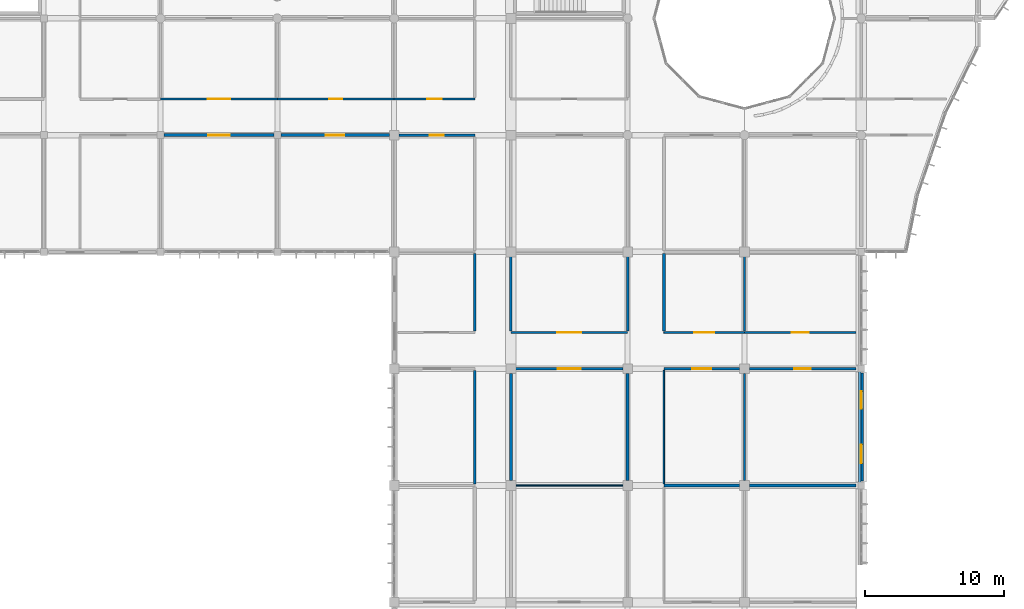
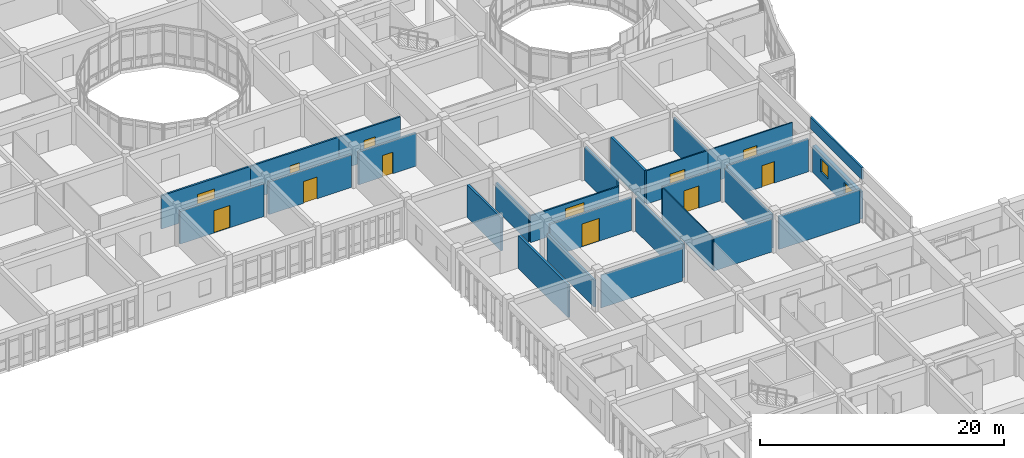
# One storey, part 81 of 119: 27 walls, 12 doors, 2 windows, 14 openings.
"""IFC4 building model written with IfcOpenShell, lengths in metres."""

from ifc_helpers import new_model, si_unit, direction, frame, frame_2d, origin, place, context, subcontext, project, spatial, rectangle, extrude, material, layer, layer_set, type_object, element, fill, save


model = new_model("IFC4")

# Units and contexts
model_context = context("Model", 3, precision=1e-05, world=origin(), true_north=direction((0.0, 1.0)))
body_context = subcontext(model_context, "Body", "Model", "MODEL_VIEW")
ifc_project = project(units=[si_unit("LENGTHUNIT", "METRE"), si_unit("AREAUNIT", "SQUARE_METRE"), si_unit("VOLUMEUNIT", "CUBIC_METRE"), si_unit("PLANEANGLEUNIT", "RADIAN"), si_unit("MASSUNIT", "GRAM", prefix="KILO")], contexts=[model_context])

# Site, building, storey
site_placement = place(None, origin())
site = spatial("IfcSite", under=ifc_project, at=site_placement, CompositionType="ELEMENT")
building_placement = place(site_placement, origin())
building = spatial("IfcBuilding", under=site, at=building_placement, Name="Bramfleet General Hospital", CompositionType="ELEMENT")
storey_placement = place(building_placement, frame((0.0, 0.0, 14.39990234375)))
storey = spatial("IfcBuildingStorey", under=building, at=storey_placement, Name="L03", CompositionType="ELEMENT", Elevation=14.39990234375)

# Wall, openings, windows
ifc_material_1 = material(Name="Precast concrete C40/50", Category="concrete")
ifc_layer_1 = layer(ifc_material_1, 0.31494140625, Name="WT-EW-04")
ifc_layer_set_1 = layer_set([ifc_layer_1], Name="Precast concrete C40/50")
wall_type_1 = type_object("IfcWallType", Name="WT-EW-04", PredefinedType="SOLIDWALL", material=ifc_layer_set_1)
wall_1_placement = place(storey_placement, frame((126.0, 41.675048828125, 0.0), z_axis=(0.0, 0.0, 1.0), x_axis=(0.0, -1.0, 0.0)))
wall_1 = element("IfcWall", 1, at=wall_1_placement, inside=storey, type_object=wall_type_1, Name="L03 Exterior Wall 261", PredefinedType="SOLIDWALL", context=body_context, shape_type="SweptSolid", body=[
    extrude(rectangle(XDim=7.75, YDim=0.31494140625, at=frame_2d((3.875, 0.0))), origin(), (0.0, 0.0, 1.0), 2.690185546875),
])
opening_1_placement = place(wall_1_placement, frame((1.3125, 0.0, 0.85009765625)))
opening_1 = element("IfcOpeningElement", 2, at=opening_1_placement, cuts=wall_1, Name="Opening W-04", PredefinedType="OPENING", context=body_context, shape_type="SweptSolid", body=[
    extrude(rectangle(XDim=1.25, YDim=1.300048828125, at=frame_2d((0.625, 0.64990234375))), frame((0.0, 0.16748046875, 0.0), z_axis=(0.0, -1.0, 0.0), x_axis=(1.0, 0.0, 0.0)), (0.0, 0.0, 1.0), 0.3349609375),
])
opening_2_placement = place(wall_1_placement, frame((5.137451171875, 0.0, 0.85009765625)))
opening_2 = element("IfcOpeningElement", 3, at=opening_2_placement, cuts=wall_1, Name="Opening W-05", PredefinedType="OPENING", context=body_context, shape_type="SweptSolid", body=[
    extrude(rectangle(XDim=1.35009765625, YDim=1.300048828125, at=frame_2d((0.675048828125, 0.64990234375))), frame((0.0, 0.16748046875, 0.0), z_axis=(0.0, -1.0, 0.0), x_axis=(1.0, 0.0, 0.0)), (0.0, 0.0, 1.0), 0.3349609375),
])
ifc_material_2 = material(Name="Anodised aluminium and low-E triple glazing", Category="aluminium")
window_type_1 = type_object("IfcWindowType", Name="WIN-W-04", PartitioningType="SINGLE_PANEL", PredefinedType="WINDOW", material=ifc_material_2)
window_1_placement = place(opening_1_placement, origin())
window_1 = element("IfcWindow", 4, at=window_1_placement, inside=storey, type_object=window_type_1, Name="L03 Facade Window WIN-L03-261-1", OverallHeight=1.300048828125, OverallWidth=1.25, PartitioningType="SINGLE_PANEL", PredefinedType="WINDOW", context=body_context, shape_type="SweptSolid", body=[
    extrude(rectangle(XDim=1.25, YDim=1.300048828125, at=frame_2d((0.625, 0.64990234375))), frame((0.0, 0.030029296875, 0.0), z_axis=(0.0, -1.0, 0.0), x_axis=(1.0, 0.0, 0.0)), (0.0, 0.0, 1.0), 0.06005859375),
])
fill(opening_1, window_1)
window_type_2 = type_object("IfcWindowType", Name="WIN-W-05", PartitioningType="SINGLE_PANEL", PredefinedType="WINDOW", material=ifc_material_2)
window_2_placement = place(opening_2_placement, origin())
window_2 = element("IfcWindow", 5, at=window_2_placement, inside=storey, type_object=window_type_2, Name="L03 Facade Window WIN-L03-261-2", OverallHeight=1.300048828125, OverallWidth=1.35009765625, PartitioningType="SINGLE_PANEL", PredefinedType="WINDOW", context=body_context, shape_type="SweptSolid", body=[
    extrude(rectangle(XDim=1.35009765625, YDim=1.300048828125, at=frame_2d((0.675048828125, 0.64990234375))), frame((0.0, 0.030029296875, 0.0), z_axis=(0.0, -1.0, 0.0), x_axis=(1.0, 0.0, 0.0)), (0.0, 0.0, 1.0), 0.06005859375),
])
fill(opening_2, window_2)

# Wall
ifc_material_3 = material(Name="Concrete C35/45", Category="concrete")
ifc_layer_2 = layer(ifc_material_3, 0.219970703125, Name="WT-IW-01")
ifc_layer_set_2 = layer_set([ifc_layer_2], Name="Concrete C35/45")
wall_type_2 = type_object("IfcWallType", Name="WT-IW-01", PredefinedType="PARTITIONING", material=ifc_layer_set_2)
wall_2_placement = place(storey_placement, frame((111.800048828125, 33.60009765625, 0.0), z_axis=(0.0, 0.0, 1.0), x_axis=(1.0, 0.0, 0.0)))
element("IfcWall", 6, at=wall_2_placement, inside=storey, type_object=wall_type_2, Name="L03 Interior Partition IW-L03-2521", PredefinedType="PARTITIONING", context=body_context, shape_type="SweptSolid", body=[
    extrude(rectangle(XDim=5.454833984375, YDim=0.219970703125, at=frame_2d((2.7275390625, 0.0))), origin(), (0.0, 0.0, 1.0), 3.2900390625),
])

# Wall, opening, door
wall_3_placement = place(storey_placement, frame((75.844970703125, 58.800048828125, 0.0), z_axis=(0.0, 0.0, 1.0), x_axis=(1.0, 0.0, 0.0)))
wall_3 = element("IfcWall", 7, at=wall_3_placement, inside=storey, type_object=wall_type_2, Name="L03 Interior Partition IW-L03-2545", PredefinedType="PARTITIONING", context=body_context, shape_type="SweptSolid", body=[
    extrude(rectangle(XDim=7.909912109375, YDim=0.219970703125, at=frame_2d((3.955078125, 0.0))), origin(), (0.0, 0.0, 1.0), 3.280029296875),
])
opening_3_placement = place(wall_3_placement, frame((3.18505859375, 0.0, 0.0)))
opening_3 = element("IfcOpeningElement", 8, at=opening_3_placement, cuts=wall_3, Name="Opening D1105", PredefinedType="OPENING", context=body_context, shape_type="SweptSolid", body=[
    extrude(rectangle(XDim=1.5400390625, YDim=2.239990234375, at=frame_2d((0.77001953125, 1.1201171875))), frame((0.0, 0.119873046875, 0.0), z_axis=(0.0, -1.0, 0.0), x_axis=(1.0, 0.0, 0.0)), (0.0, 0.0, 1.0), 0.239990234375),
])
ifc_material_4 = material(Name="Stainless steel and acoustic timber leaf", Category="steel")
door_type_1 = type_object("IfcDoorType", Name="DR-D-17", OperationType="NOTDEFINED", PredefinedType="DOOR", material=ifc_material_4)
door_1_placement = place(opening_3_placement, origin())
door_1 = element("IfcDoor", 9, at=door_1_placement, inside=storey, type_object=door_type_1, Name="Maternity Delivery Suite and Clinical Lab L03-0906 Door D1105", OperationType="SINGLE_SWING_RIGHT", OverallHeight=2.239990234375, OverallWidth=1.5400390625, PredefinedType="DOOR", context=body_context, shape_type="SweptSolid", body=[
    extrude(rectangle(XDim=1.5400390625, YDim=2.239990234375, at=frame_2d((0.77001953125, 1.1201171875))), frame((0.0, 0.02490234375, 0.0), z_axis=(0.0, -1.0, 0.0), x_axis=(1.0, 0.0, 0.0)), (0.0, 0.0, 1.0), 0.050048828125),
])
fill(opening_3, door_1)

# Walls
wall_4_placement = place(storey_placement, frame((109.199951171875, 33.945068359375, 0.0), z_axis=(0.0, 0.0, 1.0), x_axis=(0.0, 1.0, 0.0)))
element("IfcWall", 10, at=wall_4_placement, inside=storey, type_object=wall_type_2, Name="L03 Interior Partition IW-L03-2953", PredefinedType="PARTITIONING", context=body_context, shape_type="SweptSolid", body=[
    extrude(rectangle(XDim=7.7099609375, YDim=0.219970703125, at=frame_2d((3.85498046875, 0.0))), origin(), (0.0, 0.0, 1.0), 3.340087890625),
])
wall_5_placement = place(storey_placement, frame((111.800048828125, 44.715087890625, 0.0), z_axis=(0.0, 0.0, 1.0), x_axis=(0.0, 1.0, 0.0)))
element("IfcWall", 11, at=wall_5_placement, inside=storey, type_object=wall_type_2, Name="L03 Interior Partition IW-L03-2965", PredefinedType="PARTITIONING", context=body_context, shape_type="SweptSolid", body=[
    extrude(rectangle(XDim=5.56982421875, YDim=0.219970703125, at=frame_2d((2.784912109375, 0.0))), origin(), (0.0, 0.0, 1.0), 3.2900390625),
])
ifc_layer_3 = layer(ifc_material_3, 0.205078125, Name="WT-IW-02")
ifc_layer_set_3 = layer_set([ifc_layer_3], Name="Concrete C35/45")
wall_type_3 = type_object("IfcWallType", Name="WT-IW-02", PredefinedType="PARTITIONING", material=ifc_layer_set_3)
wall_6_placement = place(storey_placement, frame((117.945068359375, 33.60009765625, 0.0), z_axis=(0.0, 0.0, 1.0), x_axis=(1.0, 0.0, 0.0)))
element("IfcWall", 12, at=wall_6_placement, inside=storey, type_object=wall_type_3, Name="L03 Interior Partition IW-L03-2522", PredefinedType="PARTITIONING", context=body_context, shape_type="SweptSolid", body=[
    extrude(rectangle(XDim=7.6650390625, YDim=0.205078125, at=frame_2d((3.83251953125, 0.0))), origin(), (0.0, 0.0, 1.0), 3.2900390625),
])

# Wall, opening, door
wall_7_placement = place(storey_placement, frame((84.2451171875, 58.800048828125, 0.0), z_axis=(0.0, 0.0, 1.0), x_axis=(1.0, 0.0, 0.0)))
wall_7 = element("IfcWall", 13, at=wall_7_placement, inside=storey, type_object=wall_type_3, Name="L03 Interior Partition IW-L03-2546", PredefinedType="PARTITIONING", context=body_context, shape_type="SweptSolid", body=[
    extrude(rectangle(XDim=7.809814453125, YDim=0.205078125, at=frame_2d((3.90478515625, 0.0))), origin(), (0.0, 0.0, 1.0), 3.280029296875),
])
opening_4_placement = place(wall_7_placement, frame((3.2451171875, 0.0, 0.0)))
opening_4 = element("IfcOpeningElement", 14, at=opening_4_placement, cuts=wall_7, Name="Opening D1112", PredefinedType="OPENING", context=body_context, shape_type="SweptSolid", body=[
    extrude(rectangle(XDim=1.320068359375, YDim=2.179931640625, at=frame_2d((0.66015625, 1.08984375))), frame((0.0, 0.112548828125, 0.0), z_axis=(0.0, -1.0, 0.0), x_axis=(1.0, 0.0, 0.0)), (0.0, 0.0, 1.0), 0.22509765625),
])
door_type_2 = type_object("IfcDoorType", Name="DR-D-24", OperationType="NOTDEFINED", PredefinedType="DOOR", material=ifc_material_4)
door_2_placement = place(opening_4_placement, origin())
door_2 = element("IfcDoor", 15, at=door_2_placement, inside=storey, type_object=door_type_2, Name="Maternity Delivery Suite and Clinical Lab L03-1006 Door D1112", OperationType="SINGLE_SWING_LEFT", OverallHeight=2.179931640625, OverallWidth=1.320068359375, PredefinedType="DOOR", context=body_context, shape_type="SweptSolid", body=[
    extrude(rectangle(XDim=1.320068359375, YDim=2.179931640625, at=frame_2d((0.66015625, 1.08984375))), frame((0.0, 0.02490234375, 0.0), z_axis=(0.0, -1.0, 0.0), x_axis=(1.0, 0.0, 0.0)), (0.0, 0.0, 1.0), 0.050048828125),
])
fill(opening_4, door_2)

# Walls
wall_8_placement = place(storey_placement, frame((98.199951171875, 33.715087890625, 0.0), z_axis=(0.0, 0.0, 1.0), x_axis=(0.0, 1.0, 0.0)))
element("IfcWall", 16, at=wall_8_placement, inside=storey, type_object=wall_type_3, Name="L03 Interior Partition IW-L03-2930", PredefinedType="PARTITIONING", context=body_context, shape_type="SweptSolid", body=[
    extrude(rectangle(XDim=8.169921875, YDim=0.205078125, at=frame_2d((4.0849609375, 0.0))), origin(), (0.0, 0.0, 1.0), 3.2900390625),
])
wall_9_placement = place(storey_placement, frame((100.800048828125, 33.945068359375, 0.0), z_axis=(0.0, 0.0, 1.0), x_axis=(0.0, 1.0, 0.0)))
element("IfcWall", 17, at=wall_9_placement, inside=storey, type_object=wall_type_3, Name="L03 Interior Partition IW-L03-2942", PredefinedType="PARTITIONING", context=body_context, shape_type="SweptSolid", body=[
    extrude(rectangle(XDim=7.7099609375, YDim=0.205078125, at=frame_2d((3.85498046875, 0.0))), origin(), (0.0, 0.0, 1.0), 2.690185546875),
])
wall_10_placement = place(storey_placement, frame((109.199951171875, 44.715087890625, 0.0), z_axis=(0.0, 0.0, 1.0), x_axis=(0.0, 1.0, 0.0)))
element("IfcWall", 18, at=wall_10_placement, inside=storey, type_object=wall_type_3, Name="L03 Interior Partition IW-L03-2954", PredefinedType="PARTITIONING", context=body_context, shape_type="SweptSolid", body=[
    extrude(rectangle(XDim=5.33984375, YDim=0.205078125, at=frame_2d((2.669921875, 0.0))), origin(), (0.0, 0.0, 1.0), 3.340087890625),
])

# Wall, opening, door
ifc_layer_4 = layer(ifc_material_3, 0.18994140625, Name="WT-IW-03")
ifc_layer_set_4 = layer_set([ifc_layer_4], Name="Concrete C35/45")
wall_type_4 = type_object("IfcWallType", Name="WT-IW-03", PredefinedType="PARTITIONING", material=ifc_layer_set_4)
wall_11_placement = place(storey_placement, frame((92.7451171875, 58.800048828125, 0.0), z_axis=(0.0, 0.0, 1.0), x_axis=(1.0, 0.0, 0.0)))
wall_11 = element("IfcWall", 19, at=wall_11_placement, inside=storey, type_object=wall_type_4, Name="L03 Interior Partition IW-L03-2547", PredefinedType="PARTITIONING", context=body_context, shape_type="SweptSolid", body=[
    extrude(rectangle(XDim=5.454833984375, YDim=0.18994140625, at=frame_2d((2.7275390625, 0.0))), origin(), (0.0, 0.0, 1.0), 3.2900390625),
])
opening_5_placement = place(wall_11_placement, frame((2.2275390625, 0.0, 0.0)))
opening_5 = element("IfcOpeningElement", 20, at=opening_5_placement, cuts=wall_11, Name="Opening D1128", PredefinedType="OPENING", context=body_context, shape_type="SweptSolid", body=[
    extrude(rectangle(XDim=1.0, YDim=2.14990234375, at=frame_2d((0.5, 1.074951171875))), frame((0.0, 0.10498046875, 0.0), z_axis=(0.0, -1.0, 0.0), x_axis=(1.0, 0.0, 0.0)), (0.0, 0.0, 1.0), 0.2099609375),
])
door_type_3 = type_object("IfcDoorType", Name="DR-D-08", OperationType="NOTDEFINED", PredefinedType="DOOR", material=ifc_material_4)
door_3_placement = place(opening_5_placement, origin())
door_3 = element("IfcDoor", 21, at=door_3_placement, inside=storey, type_object=door_type_3, Name="Maternity Delivery Suite and Clinical Lab L03-1106 Door D1128", OperationType="SINGLE_SWING_LEFT", OverallHeight=2.14990234375, OverallWidth=1.0, PredefinedType="DOOR", context=body_context, shape_type="SweptSolid", body=[
    extrude(rectangle(XDim=1.0, YDim=2.14990234375, at=frame_2d((0.5, 1.074951171875))), frame((0.0, 0.02490234375, 0.0), z_axis=(0.0, -1.0, 0.0), x_axis=(1.0, 0.0, 0.0)), (0.0, 0.0, 1.0), 0.050048828125),
])
fill(opening_5, door_3)

# Walls
wall_12_placement = place(storey_placement, frame((98.199951171875, 44.715087890625, 0.0), z_axis=(0.0, 0.0, 1.0), x_axis=(0.0, 1.0, 0.0)))
element("IfcWall", 22, at=wall_12_placement, inside=storey, type_object=wall_type_4, Name="L03 Interior Partition IW-L03-2931", PredefinedType="PARTITIONING", context=body_context, shape_type="SweptSolid", body=[
    extrude(rectangle(XDim=5.56982421875, YDim=0.18994140625, at=frame_2d((2.784912109375, 0.0))), origin(), (0.0, 0.0, 1.0), 3.2900390625),
])
wall_13_placement = place(storey_placement, frame((100.800048828125, 44.715087890625, 0.0), z_axis=(0.0, 0.0, 1.0), x_axis=(0.0, 1.0, 0.0)))
element("IfcWall", 23, at=wall_13_placement, inside=storey, type_object=wall_type_4, Name="L03 Interior Partition IW-L03-2943", PredefinedType="PARTITIONING", context=body_context, shape_type="SweptSolid", body=[
    extrude(rectangle(XDim=5.33984375, YDim=0.18994140625, at=frame_2d((2.669921875, 0.0))), origin(), (0.0, 0.0, 1.0), 2.690185546875),
])

# Wall, opening, door
ifc_layer_5 = layer(ifc_material_3, 0.179931640625, Name="WT-IW-04")
ifc_layer_set_5 = layer_set([ifc_layer_5], Name="Concrete C35/45")
wall_type_5 = type_object("IfcWallType", Name="WT-IW-04", PredefinedType="PARTITIONING", material=ifc_layer_set_5)
wall_14_placement = place(storey_placement, frame((101.14501953125, 42.0, 0.0), z_axis=(0.0, 0.0, 1.0), x_axis=(1.0, 0.0, 0.0)))
wall_14 = element("IfcWall", 24, at=wall_14_placement, inside=storey, type_object=wall_type_5, Name="L03 Interior Partition IW-L03-2524", PredefinedType="PARTITIONING", context=body_context, shape_type="SweptSolid", body=[
    extrude(rectangle(XDim=7.7099609375, YDim=0.179931640625, at=frame_2d((3.85498046875, 0.0))), origin(), (0.0, 0.0, 1.0), 3.2900390625),
])
opening_6_placement = place(wall_14_placement, frame((3.034912109375, 0.0, 0.0)))
opening_6 = element("IfcOpeningElement", 25, at=opening_6_placement, cuts=wall_14, Name="Opening D1138", PredefinedType="OPENING", context=body_context, shape_type="SweptSolid", body=[
    extrude(rectangle(XDim=1.639892578125, YDim=2.280029296875, at=frame_2d((0.81982421875, 1.14013671875))), frame((0.0, 0.099853515625, 0.0), z_axis=(0.0, -1.0, 0.0), x_axis=(1.0, 0.0, 0.0)), (0.0, 0.0, 1.0), 0.199951171875),
])
door_type_4 = type_object("IfcDoorType", Name="DR-D-18", OperationType="NOTDEFINED", PredefinedType="DOOR", material=ifc_material_4)
door_4_placement = place(opening_6_placement, origin())
door_4 = element("IfcDoor", 26, at=door_4_placement, inside=storey, type_object=door_type_4, Name="Maternity Delivery Suite and Clinical Lab L03-1204 Door D1138", OperationType="DOUBLE_SWING_LEFT", OverallHeight=2.280029296875, OverallWidth=1.639892578125, PredefinedType="DOOR", context=body_context, shape_type="SweptSolid", body=[
    extrude(rectangle(XDim=1.639892578125, YDim=2.280029296875, at=frame_2d((0.81982421875, 1.14013671875))), frame((0.0, 0.02490234375, 0.0), z_axis=(0.0, -1.0, 0.0), x_axis=(1.0, 0.0, 0.0)), (0.0, 0.0, 1.0), 0.050048828125),
])
fill(opening_6, door_4)

ifc_material_5 = material(Name="Gypsum plasterboard on acoustic steel studs", Category="steel")
ifc_layer_6 = layer(ifc_material_5, 0.169921875, Name="WT-IW-05")
ifc_layer_set_6 = layer_set([ifc_layer_6], Name="Gypsum plasterboard on acoustic steel studs")
wall_type_6 = type_object("IfcWallType", Name="WT-IW-05", PredefinedType="PARTITIONING", material=ifc_layer_set_6)
wall_15_placement = place(storey_placement, frame((111.800048828125, 42.0, 0.0), z_axis=(0.0, 0.0, 1.0), x_axis=(1.0, 0.0, 0.0)))
wall_15 = element("IfcWall", 27, at=wall_15_placement, inside=storey, type_object=wall_type_6, Name="L03 Interior Partition IW-L03-2525", PredefinedType="PARTITIONING", context=body_context, shape_type="SweptSolid", body=[
    extrude(rectangle(XDim=5.454833984375, YDim=0.169921875, at=frame_2d((2.7275390625, 0.0))), origin(), (0.0, 0.0, 1.0), 3.2900390625),
])
opening_7_placement = place(wall_15_placement, frame((2.03759765625, 0.0, 0.0)))
opening_7 = element("IfcOpeningElement", 28, at=opening_7_placement, cuts=wall_15, Name="Opening D1150", PredefinedType="OPENING", context=body_context, shape_type="SweptSolid", body=[
    extrude(rectangle(XDim=1.3798828125, YDim=2.219970703125, at=frame_2d((0.68994140625, 1.10986328125))), frame((0.0, 0.094970703125, 0.0), z_axis=(0.0, -1.0, 0.0), x_axis=(1.0, 0.0, 0.0)), (0.0, 0.0, 1.0), 0.18994140625),
])
door_type_5 = type_object("IfcDoorType", Name="DR-D-30", OperationType="NOTDEFINED", PredefinedType="DOOR", material=ifc_material_4)
door_5_placement = place(opening_7_placement, origin())
door_5 = element("IfcDoor", 29, at=door_5_placement, inside=storey, type_object=door_type_5, Name="Maternity Delivery Suite and Clinical Lab L03-1304 Door D1150", OperationType="SINGLE_SWING_LEFT", OverallHeight=2.219970703125, OverallWidth=1.3798828125, PredefinedType="DOOR", context=body_context, shape_type="SweptSolid", body=[
    extrude(rectangle(XDim=1.3798828125, YDim=2.219970703125, at=frame_2d((0.68994140625, 1.10986328125))), frame((0.0, 0.02490234375, 0.0), z_axis=(0.0, -1.0, 0.0), x_axis=(1.0, 0.0, 0.0)), (0.0, 0.0, 1.0), 0.050048828125),
])
fill(opening_7, door_5)

wall_16_placement = place(storey_placement, frame((75.60009765625, 61.39990234375, 0.0), z_axis=(0.0, 0.0, 1.0), x_axis=(1.0, 0.0, 0.0)))
wall_16 = element("IfcWall", 30, at=wall_16_placement, inside=storey, type_object=wall_type_6, Name="L03 Interior Partition IW-L03-2561", PredefinedType="PARTITIONING", context=body_context, shape_type="SweptSolid", body=[
    extrude(rectangle(XDim=8.39990234375, YDim=0.169921875, at=frame_2d((4.199951171875, 0.0))), origin(), (0.0, 0.0, 1.0), 3.330078125),
])
opening_8_placement = place(wall_16_placement, frame((3.3798828125, 0.0, 0.0)))
opening_8 = element("IfcOpeningElement", 31, at=opening_8_placement, cuts=wall_16, Name="Opening D1106", PredefinedType="OPENING", context=body_context, shape_type="SweptSolid", body=[
    extrude(rectangle(XDim=1.639892578125, YDim=2.280029296875, at=frame_2d((0.81982421875, 1.14013671875))), frame((0.0, 0.094970703125, 0.0), z_axis=(0.0, -1.0, 0.0), x_axis=(1.0, 0.0, 0.0)), (0.0, 0.0, 1.0), 0.18994140625),
])
door_6_placement = place(opening_8_placement, origin())
door_6 = element("IfcDoor", 32, at=door_6_placement, inside=storey, type_object=door_type_4, Name="Maternity Delivery Suite and Clinical Lab L03-0907 Door D1106", OperationType="DOUBLE_SWING_LEFT", OverallHeight=2.280029296875, OverallWidth=1.639892578125, PredefinedType="DOOR", context=body_context, shape_type="SweptSolid", body=[
    extrude(rectangle(XDim=1.639892578125, YDim=2.280029296875, at=frame_2d((0.81982421875, 1.14013671875))), frame((0.0, 0.02490234375, 0.0), z_axis=(0.0, -1.0, 0.0), x_axis=(1.0, 0.0, 0.0)), (0.0, 0.0, 1.0), 0.050048828125),
])
fill(opening_8, door_6)

ifc_layer_7 = layer(ifc_material_5, 0.159912109375, Name="WT-IW-06")
ifc_layer_set_7 = layer_set([ifc_layer_7], Name="Gypsum plasterboard on acoustic steel studs")
wall_type_7 = type_object("IfcWallType", Name="WT-IW-06", PredefinedType="PARTITIONING", material=ifc_layer_set_7)
wall_17_placement = place(storey_placement, frame((117.945068359375, 42.0, 0.0), z_axis=(0.0, 0.0, 1.0), x_axis=(1.0, 0.0, 0.0)))
wall_17 = element("IfcWall", 33, at=wall_17_placement, inside=storey, type_object=wall_type_7, Name="L03 Interior Partition IW-L03-2526", PredefinedType="PARTITIONING", context=body_context, shape_type="SweptSolid", body=[
    extrude(rectangle(XDim=7.67236328125, YDim=0.159912109375, at=frame_2d((3.836181640625, 0.0))), origin(), (0.0, 0.0, 1.0), 3.2900390625),
])
opening_9_placement = place(wall_17_placement, frame((3.236328125, 0.0, 0.0)))
opening_9 = element("IfcOpeningElement", 34, at=opening_9_placement, cuts=wall_17, Name="Opening D1165", PredefinedType="OPENING", context=body_context, shape_type="SweptSolid", body=[
    extrude(rectangle(XDim=1.199951171875, YDim=2.14990234375, at=frame_2d((0.60009765625, 1.074951171875))), frame((0.0, 0.08984375, 0.0), z_axis=(0.0, -1.0, 0.0), x_axis=(1.0, 0.0, 0.0)), (0.0, 0.0, 1.0), 0.179931640625),
])
door_type_6 = type_object("IfcDoorType", Name="DR-D-13", OperationType="NOTDEFINED", PredefinedType="DOOR", material=ifc_material_4)
door_7_placement = place(opening_9_placement, origin())
door_7 = element("IfcDoor", 35, at=door_7_placement, inside=storey, type_object=door_type_6, Name="Maternity Delivery Suite and Clinical Lab L03-1404 Door D1165", OperationType="SINGLE_SWING_RIGHT", OverallHeight=2.14990234375, OverallWidth=1.199951171875, PredefinedType="DOOR", context=body_context, shape_type="SweptSolid", body=[
    extrude(rectangle(XDim=1.199951171875, YDim=2.14990234375, at=frame_2d((0.60009765625, 1.074951171875))), frame((0.0, 0.02490234375, 0.0), z_axis=(0.0, -1.0, 0.0), x_axis=(1.0, 0.0, 0.0)), (0.0, 0.0, 1.0), 0.050048828125),
])
fill(opening_9, door_7)

wall_18_placement = place(storey_placement, frame((84.0, 61.39990234375, 0.0), z_axis=(0.0, 0.0, 1.0), x_axis=(1.0, 0.0, 0.0)))
wall_18 = element("IfcWall", 36, at=wall_18_placement, inside=storey, type_object=wall_type_7, Name="L03 Interior Partition IW-L03-2562", PredefinedType="PARTITIONING", context=body_context, shape_type="SweptSolid", body=[
    extrude(rectangle(XDim=8.39990234375, YDim=0.159912109375, at=frame_2d((4.199951171875, 0.0))), origin(), (0.0, 0.0, 1.0), 3.330078125),
])
opening_10_placement = place(wall_18_placement, frame((3.739990234375, 0.0, 0.0)))
opening_10 = element("IfcOpeningElement", 37, at=opening_10_placement, cuts=wall_18, Name="Opening D1113", PredefinedType="OPENING", context=body_context, shape_type="SweptSolid", body=[
    extrude(rectangle(XDim=0.919921875, YDim=2.080078125, at=frame_2d((0.4599609375, 1.0400390625))), frame((0.0, 0.08984375, 0.0), z_axis=(0.0, -1.0, 0.0), x_axis=(1.0, 0.0, 0.0)), (0.0, 0.0, 1.0), 0.179931640625),
])
door_type_7 = type_object("IfcDoorType", Name="DR-D-25", OperationType="NOTDEFINED", PredefinedType="DOOR", material=ifc_material_4)
door_8_placement = place(opening_10_placement, origin())
door_8 = element("IfcDoor", 38, at=door_8_placement, inside=storey, type_object=door_type_7, Name="Maternity Delivery Suite and Clinical Lab L03-1007 Door D1113", OperationType="SINGLE_SWING_RIGHT", OverallHeight=2.080078125, OverallWidth=0.919921875, PredefinedType="DOOR", context=body_context, shape_type="SweptSolid", body=[
    extrude(rectangle(XDim=0.919921875, YDim=2.080078125, at=frame_2d((0.4599609375, 1.0400390625))), frame((0.0, 0.02490234375, 0.0), z_axis=(0.0, -1.0, 0.0), x_axis=(1.0, 0.0, 0.0)), (0.0, 0.0, 1.0), 0.050048828125),
])
fill(opening_10, door_8)

# Wall
wall_19_placement = place(storey_placement, frame((117.60009765625, 33.945068359375, 0.0), z_axis=(0.0, 0.0, 1.0), x_axis=(0.0, 1.0, 0.0)))
element("IfcWall", 39, at=wall_19_placement, inside=storey, type_object=wall_type_7, Name="L03 Interior Partition IW-L03-2982", PredefinedType="PARTITIONING", context=body_context, shape_type="SweptSolid", body=[
    extrude(rectangle(XDim=7.7099609375, YDim=0.159912109375, at=frame_2d((3.85498046875, 0.0))), origin(), (0.0, 0.0, 1.0), 3.340087890625),
])

# Wall, opening, door
ifc_layer_8 = layer(ifc_material_5, 0.14990234375, Name="WT-IW-07")
ifc_layer_set_8 = layer_set([ifc_layer_8], Name="Gypsum plasterboard on acoustic steel studs")
wall_type_8 = type_object("IfcWallType", Name="WT-IW-07", PredefinedType="PARTITIONING", material=ifc_layer_set_8)
wall_20_placement = place(storey_placement, frame((92.39990234375, 61.39990234375, 0.0), z_axis=(0.0, 0.0, 1.0), x_axis=(1.0, 0.0, 0.0)))
wall_20 = element("IfcWall", 40, at=wall_20_placement, inside=storey, type_object=wall_type_8, Name="L03 Interior Partition IW-L03-2563", PredefinedType="PARTITIONING", context=body_context, shape_type="SweptSolid", body=[
    extrude(rectangle(XDim=5.800048828125, YDim=0.14990234375, at=frame_2d((2.89990234375, 0.0))), origin(), (0.0, 0.0, 1.0), 3.330078125),
])
opening_11_placement = place(wall_20_placement, frame((2.375, 0.0, 0.0)))
opening_11 = element("IfcOpeningElement", 41, at=opening_11_placement, cuts=wall_20, Name="Opening D1129", PredefinedType="OPENING", context=body_context, shape_type="SweptSolid", body=[
    extrude(rectangle(XDim=1.050048828125, YDim=2.14990234375, at=frame_2d((0.52490234375, 1.074951171875))), frame((0.0, 0.0849609375, 0.0), z_axis=(0.0, -1.0, 0.0), x_axis=(1.0, 0.0, 0.0)), (0.0, 0.0, 1.0), 0.169921875),
])
door_type_8 = type_object("IfcDoorType", Name="DR-D-09", OperationType="NOTDEFINED", PredefinedType="DOOR", material=ifc_material_4)
door_9_placement = place(opening_11_placement, origin())
door_9 = element("IfcDoor", 42, at=door_9_placement, inside=storey, type_object=door_type_8, Name="Maternity Delivery Suite and Clinical Lab L03-1107 Door D1129", OperationType="SINGLE_SWING_RIGHT", OverallHeight=2.14990234375, OverallWidth=1.050048828125, PredefinedType="DOOR", context=body_context, shape_type="SweptSolid", body=[
    extrude(rectangle(XDim=1.050048828125, YDim=2.14990234375, at=frame_2d((0.52490234375, 1.074951171875))), frame((0.0, 0.02490234375, 0.0), z_axis=(0.0, -1.0, 0.0), x_axis=(1.0, 0.0, 0.0)), (0.0, 0.0, 1.0), 0.050048828125),
])
fill(opening_11, door_9)

# Wall
wall_21_placement = place(storey_placement, frame((117.60009765625, 44.715087890625, 0.0), z_axis=(0.0, 0.0, 1.0), x_axis=(0.0, 1.0, 0.0)))
element("IfcWall", 43, at=wall_21_placement, inside=storey, type_object=wall_type_8, Name="L03 Interior Partition IW-L03-2983", PredefinedType="PARTITIONING", context=body_context, shape_type="SweptSolid", body=[
    extrude(rectangle(XDim=5.33984375, YDim=0.14990234375, at=frame_2d((2.669921875, 0.0))), origin(), (0.0, 0.0, 1.0), 3.340087890625),
])

# Wall, opening, door
ifc_layer_9 = layer(ifc_material_5, 0.139892578125, Name="WT-IW-08")
ifc_layer_set_9 = layer_set([ifc_layer_9], Name="Gypsum plasterboard on acoustic steel studs")
wall_type_9 = type_object("IfcWallType", Name="WT-IW-08", PredefinedType="PARTITIONING", material=ifc_layer_set_9)
wall_22_placement = place(storey_placement, frame((100.800048828125, 44.60009765625, 0.0), z_axis=(0.0, 0.0, 1.0), x_axis=(1.0, 0.0, 0.0)))
wall_22 = element("IfcWall", 44, at=wall_22_placement, inside=storey, type_object=wall_type_9, Name="L03 Interior Partition IW-L03-2528", PredefinedType="PARTITIONING", context=body_context, shape_type="SweptSolid", body=[
    extrude(rectangle(XDim=8.39990234375, YDim=0.139892578125, at=frame_2d((4.199951171875, 0.0))), origin(), (0.0, 0.0, 1.0), 2.690185546875),
])
opening_12_placement = place(wall_22_placement, frame((3.330078125, 0.0, 0.0)))
opening_12 = element("IfcOpeningElement", 45, at=opening_12_placement, cuts=wall_22, Name="Opening D1139", PredefinedType="OPENING", context=body_context, shape_type="SweptSolid", body=[
    extrude(rectangle(XDim=1.739990234375, YDim=2.239990234375, at=frame_2d((0.8701171875, 1.1201171875))), frame((0.0, 0.079833984375, 0.0), z_axis=(0.0, -1.0, 0.0), x_axis=(1.0, 0.0, 0.0)), (0.0, 0.0, 1.0), 0.159912109375),
])
door_type_9 = type_object("IfcDoorType", Name="DR-D-19", OperationType="NOTDEFINED", PredefinedType="DOOR", material=ifc_material_4)
door_10_placement = place(opening_12_placement, origin())
door_10 = element("IfcDoor", 46, at=door_10_placement, inside=storey, type_object=door_type_9, Name="Maternity Delivery Suite and Clinical Lab L03-1205 Door D1139", OperationType="DOUBLE_SWING_RIGHT", OverallHeight=2.239990234375, OverallWidth=1.739990234375, PredefinedType="DOOR", context=body_context, shape_type="SweptSolid", body=[
    extrude(rectangle(XDim=1.739990234375, YDim=2.239990234375, at=frame_2d((0.8701171875, 1.1201171875))), frame((0.0, 0.02490234375, 0.0), z_axis=(0.0, -1.0, 0.0), x_axis=(1.0, 0.0, 0.0)), (0.0, 0.0, 1.0), 0.050048828125),
])
fill(opening_12, door_10)

ifc_layer_10 = layer(ifc_material_5, 0.1298828125, Name="WT-IW-09")
ifc_layer_set_10 = layer_set([ifc_layer_10], Name="Gypsum plasterboard on acoustic steel studs")
wall_type_10 = type_object("IfcWallType", Name="WT-IW-09", PredefinedType="PARTITIONING", material=ifc_layer_set_10)
wall_23_placement = place(storey_placement, frame((111.800048828125, 44.60009765625, 0.0), z_axis=(0.0, 0.0, 1.0), x_axis=(1.0, 0.0, 0.0)))
wall_23 = element("IfcWall", 47, at=wall_23_placement, inside=storey, type_object=wall_type_10, Name="L03 Interior Partition IW-L03-2529", PredefinedType="PARTITIONING", context=body_context, shape_type="SweptSolid", body=[
    extrude(rectangle(XDim=5.800048828125, YDim=0.1298828125, at=frame_2d((2.89990234375, 0.0))), origin(), (0.0, 0.0, 1.0), 3.340087890625),
])
opening_13_placement = place(wall_23_placement, frame((2.18994140625, 0.0, 0.0)))
opening_13 = element("IfcOpeningElement", 48, at=opening_13_placement, cuts=wall_23, Name="Opening D1151", PredefinedType="OPENING", context=body_context, shape_type="SweptSolid", body=[
    extrude(rectangle(XDim=1.419921875, YDim=2.219970703125, at=frame_2d((0.7099609375, 1.10986328125))), frame((0.0, 0.074951171875, 0.0), z_axis=(0.0, -1.0, 0.0), x_axis=(1.0, 0.0, 0.0)), (0.0, 0.0, 1.0), 0.14990234375),
])
door_type_10 = type_object("IfcDoorType", Name="DR-D-31", OperationType="NOTDEFINED", PredefinedType="DOOR", material=ifc_material_4)
door_11_placement = place(opening_13_placement, origin())
door_11 = element("IfcDoor", 49, at=door_11_placement, inside=storey, type_object=door_type_10, Name="Maternity Delivery Suite and Clinical Lab L03-1305 Door D1151", OperationType="SINGLE_SWING_RIGHT", OverallHeight=2.219970703125, OverallWidth=1.419921875, PredefinedType="DOOR", context=body_context, shape_type="SweptSolid", body=[
    extrude(rectangle(XDim=1.419921875, YDim=2.219970703125, at=frame_2d((0.7099609375, 1.10986328125))), frame((0.0, 0.02490234375, 0.0), z_axis=(0.0, -1.0, 0.0), x_axis=(1.0, 0.0, 0.0)), (0.0, 0.0, 1.0), 0.050048828125),
])
fill(opening_13, door_11)

ifc_layer_11 = layer(ifc_material_5, 0.1201171875, Name="WT-IW-10")
ifc_layer_set_11 = layer_set([ifc_layer_11], Name="Gypsum plasterboard on acoustic steel studs")
wall_type_11 = type_object("IfcWallType", Name="WT-IW-10", PredefinedType="PARTITIONING", material=ifc_layer_set_11)
wall_24_placement = place(storey_placement, frame((117.60009765625, 44.60009765625, 0.0), z_axis=(0.0, 0.0, 1.0), x_axis=(1.0, 0.0, 0.0)))
wall_24 = element("IfcWall", 50, at=wall_24_placement, inside=storey, type_object=wall_type_11, Name="L03 Interior Partition IW-L03-2530", PredefinedType="PARTITIONING", context=body_context, shape_type="SweptSolid", body=[
    extrude(rectangle(XDim=8.017333984375, YDim=0.1201171875, at=frame_2d((4.0087890625, 0.0))), origin(), (0.0, 0.0, 1.0), 3.340087890625),
])
opening_14_placement = place(wall_24_placement, frame((3.3837890625, 0.0, 0.0)))
opening_14 = element("IfcOpeningElement", 51, at=opening_14_placement, cuts=wall_24, Name="Opening D1166", PredefinedType="OPENING", context=body_context, shape_type="SweptSolid", body=[
    extrude(rectangle(XDim=1.25, YDim=2.199951171875, at=frame_2d((0.625, 1.10009765625))), frame((0.0, 0.070068359375, 0.0), z_axis=(0.0, -1.0, 0.0), x_axis=(1.0, 0.0, 0.0)), (0.0, 0.0, 1.0), 0.14013671875),
])
door_type_11 = type_object("IfcDoorType", Name="DR-D-14", OperationType="NOTDEFINED", PredefinedType="DOOR", material=ifc_material_4)
door_12_placement = place(opening_14_placement, origin())
door_12 = element("IfcDoor", 52, at=door_12_placement, inside=storey, type_object=door_type_11, Name="Maternity Delivery Suite and Clinical Lab L03-1405 Door D1166", OperationType="SINGLE_SWING_LEFT", OverallHeight=2.199951171875, OverallWidth=1.25, PredefinedType="DOOR", context=body_context, shape_type="SweptSolid", body=[
    extrude(rectangle(XDim=1.25, YDim=2.199951171875, at=frame_2d((0.625, 1.10009765625))), frame((0.0, 0.02490234375, 0.0), z_axis=(0.0, -1.0, 0.0), x_axis=(1.0, 0.0, 0.0)), (0.0, 0.0, 1.0), 0.050048828125),
])
fill(opening_14, door_12)

# Walls
ifc_layer_12 = layer(ifc_material_5, 0.10009765625, Name="WT-IW-12")
ifc_layer_set_12 = layer_set([ifc_layer_12], Name="Gypsum plasterboard on acoustic steel studs")
wall_type_12 = type_object("IfcWallType", Name="WT-IW-12", PredefinedType="PARTITIONING", material=ifc_layer_set_12)
wall_25_placement = place(storey_placement, frame((101.14501953125, 33.60009765625, 0.0), z_axis=(0.0, 0.0, 1.0), x_axis=(1.0, 0.0, 0.0)))
element("IfcWall", 53, at=wall_25_placement, inside=storey, type_object=wall_type_12, Name="L03 Interior Partition IW-L03-2520", PredefinedType="PARTITIONING", context=body_context, shape_type="SweptSolid", body=[
    extrude(rectangle(XDim=7.7099609375, YDim=0.10009765625, at=frame_2d((3.85498046875, 0.0))), origin(), (0.0, 0.0, 1.0), 3.2900390625),
])
wall_26_placement = place(storey_placement, frame((111.800048828125, 33.715087890625, 0.0), z_axis=(0.0, 0.0, 1.0), x_axis=(0.0, 1.0, 0.0)))
element("IfcWall", 54, at=wall_26_placement, inside=storey, type_object=wall_type_12, Name="L03 Interior Partition IW-L03-2964", PredefinedType="PARTITIONING", context=body_context, shape_type="SweptSolid", body=[
    extrude(rectangle(XDim=8.169921875, YDim=0.10009765625, at=frame_2d((4.0849609375, 0.0))), origin(), (0.0, 0.0, 1.0), 3.2900390625),
])
ifc_layer_13 = layer(ifc_material_1, 0.169921875, Name="WT-PW-03")
ifc_layer_set_13 = layer_set([ifc_layer_13], Name="Precast concrete C40/50")
wall_type_13 = type_object("IfcWallType", Name="WT-PW-03", PredefinedType="PARAPET", material=ifc_layer_set_13)
wall_27_placement = place(storey_placement, frame((125.905029296875, 42.0, 4.18017578125), z_axis=(0.0, 0.0, 1.0), x_axis=(0.0, -1.0, 0.0)))
element("IfcWall", 55, at=wall_27_placement, inside=storey, type_object=wall_type_13, Name="Roof Parapet Wall 15", PredefinedType="PARAPET", context=body_context, shape_type="SweptSolid", body=[
    extrude(rectangle(XDim=8.39990234375, YDim=0.169921875, at=frame_2d((4.199951171875, 0.0))), origin(), (0.0, 0.0, 1.0), 1.169921875),
])

save(model, "model.ifc")
